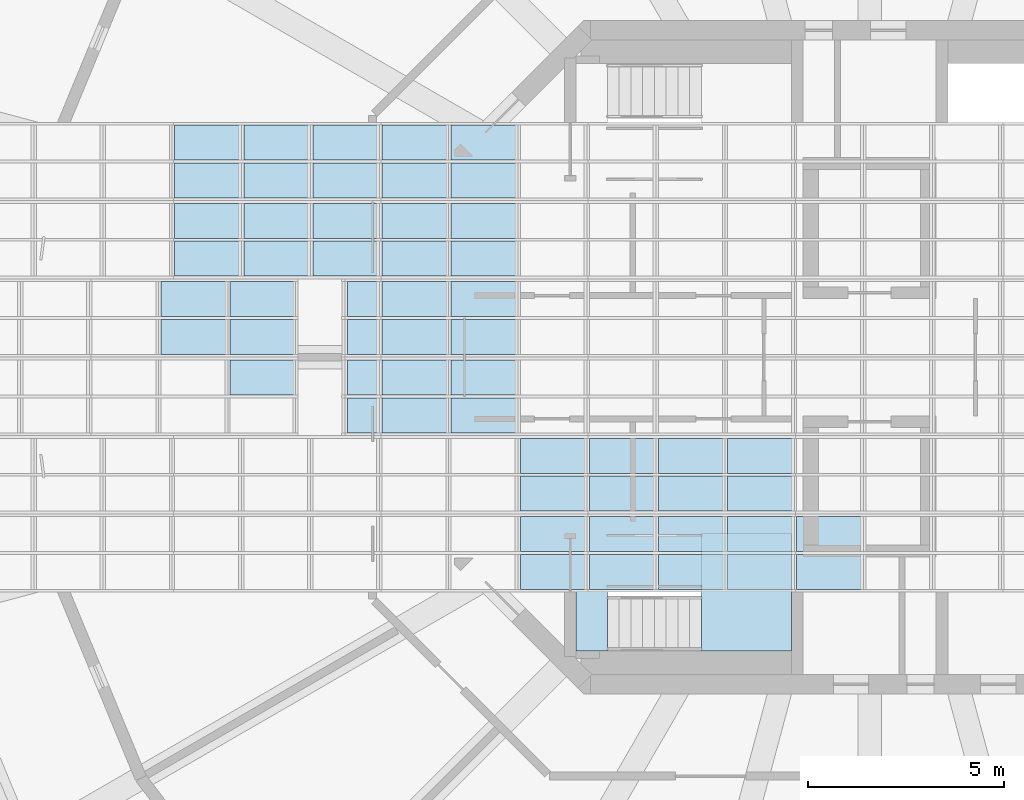
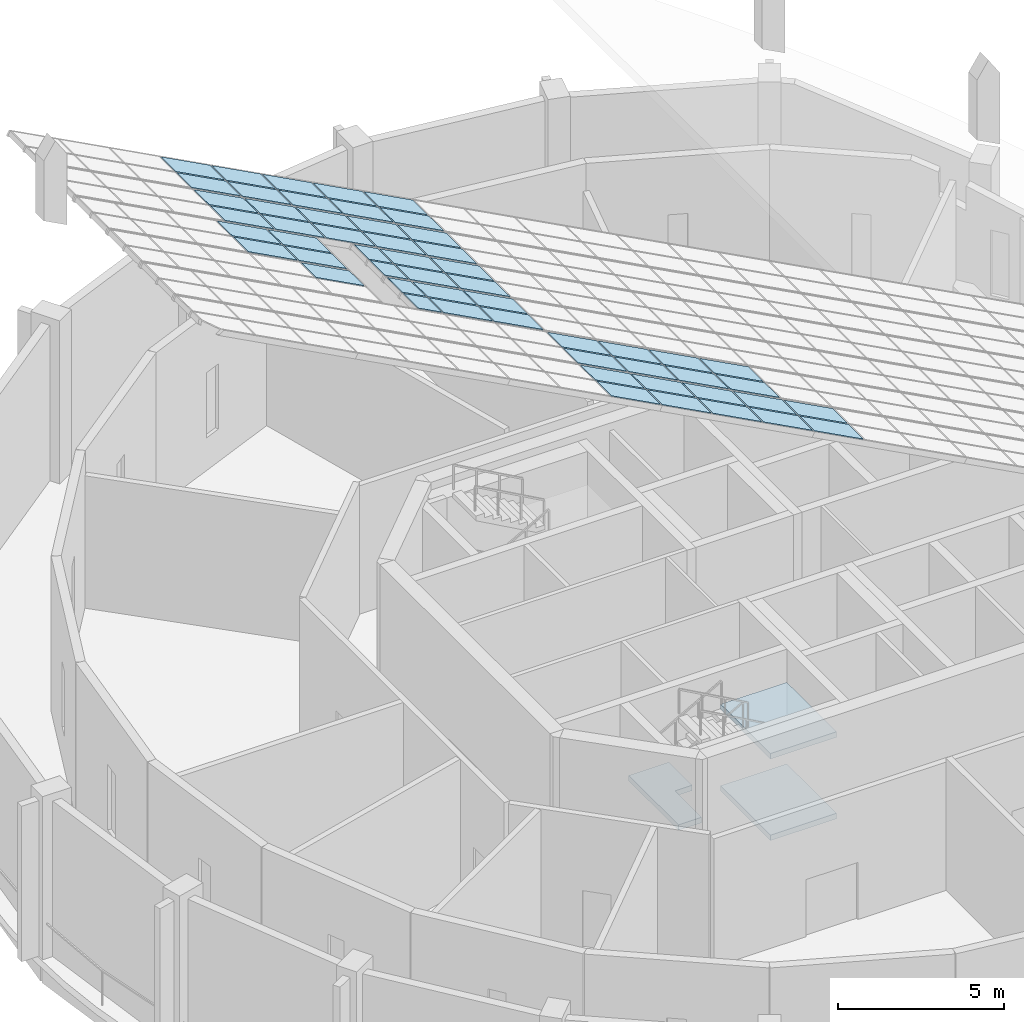
# One storey, part 9 of 19: 55 plates, 3 slabs, 9 elements without a shape of their own.
"""IFC4 building model written with IfcOpenShell, lengths in metres."""

from ifc_helpers import new_model, si_unit, direction, frame, origin, place, context, subcontext, project, spatial, polyline, outline, extrude, material, layer, layer_set, type_object, element, aggregate, save


model = new_model("IFC4")

# Units and contexts
model_context = context("Model", 3, precision=1e-05, world=origin(), true_north=direction((0.0, 1.0)))
body_context = subcontext(model_context, "Body", "Model", "MODEL_VIEW")
ifc_project = project(units=[si_unit("LENGTHUNIT", "METRE"), si_unit("AREAUNIT", "SQUARE_METRE"), si_unit("VOLUMEUNIT", "CUBIC_METRE"), si_unit("PLANEANGLEUNIT", "RADIAN"), si_unit("MASSUNIT", "GRAM", prefix="KILO")], contexts=[model_context])

# Site, building, storey
site_placement = place(None, origin())
site = spatial("IfcSite", under=ifc_project, at=site_placement, CompositionType="ELEMENT")
building_placement = place(site_placement, origin())
building = spatial("IfcBuilding", under=site, at=building_placement, Name="Torre Triforio", CompositionType="ELEMENT")
storey_placement = place(building_placement, frame((0.0, 0.0, 290.800048828125)))
storey = spatial("IfcBuildingStorey", under=building, at=storey_placement, Name="RF-1", CompositionType="ELEMENT", Elevation=290.800048828125)

# Curtain wall, plates
ifc_material_1 = material(Name="Aluminium glazing bars with clear laminated glass", Category="aluminium")
curtain_wall_type = type_object("IfcCurtainWallType", Name="Crown lantern glazing CW4", PredefinedType="NOTDEFINED", material=ifc_material_1)
curtain_wall_1_placement = place(storey_placement, origin())
curtain_wall_1 = element("IfcCurtainWall", 1, at=curtain_wall_1_placement, inside=storey, type_object=curtain_wall_type, Name="Crown lantern run 1", PredefinedType="NOTDEFINED")
ifc_material_2 = material(Name="Clear laminated glass", Category="glass")
ifc_layer_1 = layer(ifc_material_2, 0.030029296875)
ifc_layer_set_1 = layer_set([ifc_layer_1], Name="Clear laminated glass")
plate_type = type_object("IfcPlateType", Name="CW4 glass panel 30", PredefinedType="CURTAIN_PANEL", material=ifc_layer_set_1)
plate_1_placement = place(storey_placement, frame((-0.158203125, -5.929931640625, 13.669189453125), z_axis=(0.469438837627, 0.0, 0.882964992357), x_axis=(0.0, 1.0, 0.0)))
plate_1 = element("IfcPlate", 2, at=plate_1_placement, type_object=plate_type, Name="CW4 panel 1.9.1", PredefinedType="CURTAIN_PANEL", context=body_context, shape_type="SweptSolid", body=[
    extrude(outline(polyline([(0.0, 0.0), (0.89501953125, 0.0), (0.89501953125, 1.9299763606160503), (0.0, 1.9299763606160503), (0.0, 0.0)])), origin(), (0.0, 0.0, -1.0), 0.030029296875),
])
plate_2_placement = place(storey_placement, frame((-0.158203125, -4.965087890625, 13.669189453125), z_axis=(0.469438837627, 0.0, 0.882964992357), x_axis=(0.0, 1.0, 0.0)))
plate_2 = element("IfcPlate", 3, at=plate_2_placement, type_object=plate_type, Name="CW4 panel 1.9.2", PredefinedType="CURTAIN_PANEL", context=body_context, shape_type="SweptSolid", body=[
    extrude(outline(polyline([(0.0, 0.0), (0.89501953125, 0.0), (0.89501953125, 1.9299763606160503), (0.0, 1.9299763606160503), (0.0, 0.0)])), origin(), (0.0, 0.0, -1.0), 0.030029296875),
])
plate_3_placement = place(storey_placement, frame((-1.924072265625, -5.929931640625, 14.608154296875), z_axis=(0.469491276363, 0.0, 0.882937110682), x_axis=(0.0, 1.0, 0.0)))
plate_3 = element("IfcPlate", 4, at=plate_3_placement, type_object=plate_type, Name="CW4 panel 1.10.1", PredefinedType="CURTAIN_PANEL", context=body_context, shape_type="SweptSolid", body=[
    extrude(outline(polyline([(0.0, 0.0), (0.89501953125, 0.0), (0.89501953125, 1.9297607963942975), (0.0, 1.9297607963942975), (0.0, 0.0)])), origin(), (0.0, 0.0, -1.0), 0.030029296875),
])
plate_4_placement = place(storey_placement, frame((-1.924072265625, -4.965087890625, 14.608154296875), z_axis=(0.469491276363, 0.0, 0.882937110682), x_axis=(0.0, 1.0, 0.0)))
plate_4 = element("IfcPlate", 5, at=plate_4_placement, type_object=plate_type, Name="CW4 panel 1.10.2", PredefinedType="CURTAIN_PANEL", context=body_context, shape_type="SweptSolid", body=[
    extrude(outline(polyline([(0.0, 0.0), (0.89501953125, 0.0), (0.89501953125, 1.9297607963942975), (0.0, 1.9297607963942975), (0.0, 0.0)])), origin(), (0.0, 0.0, -1.0), 0.030029296875),
])
plate_5_placement = place(storey_placement, frame((-3.68994140625, -5.929931640625, 15.547119140625), z_axis=(0.469491276363, 0.0, 0.882937110682), x_axis=(0.0, 1.0, 0.0)))
plate_5 = element("IfcPlate", 6, at=plate_5_placement, type_object=plate_type, Name="CW4 panel 1.11.1", PredefinedType="CURTAIN_PANEL", context=body_context, shape_type="SweptSolid", body=[
    extrude(outline(polyline([(0.0, 0.0), (0.89501953125, 0.0), (0.89501953125, 1.9297607963942975), (0.0, 1.9297607963942975), (0.0, 0.0)])), origin(), (0.0, 0.0, -1.0), 0.030029296875),
])
plate_6_placement = place(storey_placement, frame((-3.68994140625, -4.965087890625, 15.547119140625), z_axis=(0.469491276363, 0.0, 0.882937110682), x_axis=(0.0, 1.0, 0.0)))
plate_6 = element("IfcPlate", 7, at=plate_6_placement, type_object=plate_type, Name="CW4 panel 1.11.2", PredefinedType="CURTAIN_PANEL", context=body_context, shape_type="SweptSolid", body=[
    extrude(outline(polyline([(0.0, 0.0), (0.89501953125, 0.0), (0.89501953125, 1.9297607963942975), (0.0, 1.9297607963942975), (0.0, 0.0)])), origin(), (0.0, 0.0, -1.0), 0.030029296875),
])
plate_7_placement = place(storey_placement, frame((-5.455810546875, -5.929931640625, 16.48583984375), z_axis=(0.469537451121, 0.0, 0.882912556256), x_axis=(0.0, 1.0, 0.0)))
plate_7 = element("IfcPlate", 8, at=plate_7_placement, type_object=plate_type, Name="CW4 panel 1.12.1", PredefinedType="CURTAIN_PANEL", context=body_context, shape_type="SweptSolid", body=[
    extrude(outline(polyline([(0.0, 0.0), (0.89501953125, 0.0), (0.89501953125, 1.9300909817454048), (0.0, 1.9300909817454048), (0.0, 0.0)])), origin(), (0.0, 0.0, -1.0), 0.030029296875),
])
plate_8_placement = place(storey_placement, frame((-5.455810546875, -4.965087890625, 16.48583984375), z_axis=(0.469537451121, 0.0, 0.882912556256), x_axis=(0.0, 1.0, 0.0)))
plate_8 = element("IfcPlate", 9, at=plate_8_placement, type_object=plate_type, Name="CW4 panel 1.12.2", PredefinedType="CURTAIN_PANEL", context=body_context, shape_type="SweptSolid", body=[
    extrude(outline(polyline([(0.0, 0.0), (0.89501953125, 0.0), (0.89501953125, 1.9300909817454048), (0.0, 1.9300909817454048), (0.0, 0.0)])), origin(), (0.0, 0.0, -1.0), 0.030029296875),
])
plate_9_placement = place(storey_placement, frame((-7.2216796875, -5.929931640625, 17.425048828125), z_axis=(0.469438837627, 0.0, 0.882964992357), x_axis=(0.0, 1.0, 0.0)))
plate_9 = element("IfcPlate", 10, at=plate_9_placement, type_object=plate_type, Name="CW4 panel 1.13.1", PredefinedType="CURTAIN_PANEL", context=body_context, shape_type="SweptSolid", body=[
    extrude(outline(polyline([(0.0, 0.0), (0.89501953125, 0.0), (0.89501953125, 1.9299763606160503), (0.0, 1.9299763606160503), (0.0, 0.0)])), origin(), (0.0, 0.0, -1.0), 0.030029296875),
])
plate_10_placement = place(storey_placement, frame((-7.2216796875, -4.965087890625, 17.425048828125), z_axis=(0.469438837627, 0.0, 0.882964992357), x_axis=(0.0, 1.0, 0.0)))
plate_10 = element("IfcPlate", 11, at=plate_10_placement, type_object=plate_type, Name="CW4 panel 1.13.2", PredefinedType="CURTAIN_PANEL", context=body_context, shape_type="SweptSolid", body=[
    extrude(outline(polyline([(0.0, 0.0), (0.89501953125, 0.0), (0.89501953125, 1.9299763606160503), (0.0, 1.9299763606160503), (0.0, 0.0)])), origin(), (0.0, 0.0, -1.0), 0.030029296875),
])
aggregate(curtain_wall_1, [plate_1, plate_2, plate_3, plate_4, plate_5, plate_6, plate_7, plate_8, plate_9, plate_10])

curtain_wall_2_placement = place(storey_placement, origin())
curtain_wall_2 = element("IfcCurtainWall", 12, at=curtain_wall_2_placement, inside=storey, type_object=curtain_wall_type, Name="Crown lantern run 2", PredefinedType="NOTDEFINED")
plate_11_placement = place(storey_placement, frame((-1.924072265625, -3.929931640625, 14.608154296875), z_axis=(0.469491276363, 0.0, 0.882937110682), x_axis=(0.0, 1.0, 0.0)))
plate_11 = element("IfcPlate", 13, at=plate_11_placement, type_object=plate_type, Name="CW4 panel 2.10.1", PredefinedType="CURTAIN_PANEL", context=body_context, shape_type="SweptSolid", body=[
    extrude(outline(polyline([(0.0, 0.0), (0.89501953125, 0.0), (0.89501953125, 1.9297607963942975), (0.0, 1.9297607963942975), (0.0, 0.0)])), origin(), (0.0, 0.0, -1.0), 0.030029296875),
])
plate_12_placement = place(storey_placement, frame((-1.924072265625, -2.965087890625, 14.608154296875), z_axis=(0.469491276363, 0.0, 0.882937110682), x_axis=(0.0, 1.0, 0.0)))
plate_12 = element("IfcPlate", 14, at=plate_12_placement, type_object=plate_type, Name="CW4 panel 2.10.2", PredefinedType="CURTAIN_PANEL", context=body_context, shape_type="SweptSolid", body=[
    extrude(outline(polyline([(0.0, 0.0), (0.89501953125, 0.0), (0.89501953125, 1.9297607963942975), (0.0, 1.9297607963942975), (0.0, 0.0)])), origin(), (0.0, 0.0, -1.0), 0.030029296875),
])
plate_13_placement = place(storey_placement, frame((-3.68994140625, -3.929931640625, 15.547119140625), z_axis=(0.469491276363, 0.0, 0.882937110682), x_axis=(0.0, 1.0, 0.0)))
plate_13 = element("IfcPlate", 15, at=plate_13_placement, type_object=plate_type, Name="CW4 panel 2.11.1", PredefinedType="CURTAIN_PANEL", context=body_context, shape_type="SweptSolid", body=[
    extrude(outline(polyline([(0.0, 0.0), (0.89501953125, 0.0), (0.89501953125, 1.9297607963942975), (0.0, 1.9297607963942975), (0.0, 0.0)])), origin(), (0.0, 0.0, -1.0), 0.030029296875),
])
plate_14_placement = place(storey_placement, frame((-3.68994140625, -2.965087890625, 15.547119140625), z_axis=(0.469491276363, 0.0, 0.882937110682), x_axis=(0.0, 1.0, 0.0)))
plate_14 = element("IfcPlate", 16, at=plate_14_placement, type_object=plate_type, Name="CW4 panel 2.11.2", PredefinedType="CURTAIN_PANEL", context=body_context, shape_type="SweptSolid", body=[
    extrude(outline(polyline([(0.0, 0.0), (0.89501953125, 0.0), (0.89501953125, 1.9297607963942975), (0.0, 1.9297607963942975), (0.0, 0.0)])), origin(), (0.0, 0.0, -1.0), 0.030029296875),
])
plate_15_placement = place(storey_placement, frame((-5.455810546875, -3.929931640625, 16.48583984375), z_axis=(0.469537451121, 0.0, 0.882912556256), x_axis=(0.0, 1.0, 0.0)))
plate_15 = element("IfcPlate", 17, at=plate_15_placement, type_object=plate_type, Name="CW4 panel 2.12.1", PredefinedType="CURTAIN_PANEL", context=body_context, shape_type="SweptSolid", body=[
    extrude(outline(polyline([(0.0, 0.0), (0.89501953125, 0.0), (0.89501953125, 1.9300909817454048), (0.0, 1.9300909817454048), (0.0, 0.0)])), origin(), (0.0, 0.0, -1.0), 0.030029296875),
])
plate_16_placement = place(storey_placement, frame((-5.455810546875, -2.965087890625, 16.48583984375), z_axis=(0.469537451121, 0.0, 0.882912556256), x_axis=(0.0, 1.0, 0.0)))
plate_16 = element("IfcPlate", 18, at=plate_16_placement, type_object=plate_type, Name="CW4 panel 2.12.2", PredefinedType="CURTAIN_PANEL", context=body_context, shape_type="SweptSolid", body=[
    extrude(outline(polyline([(0.0, 0.0), (0.89501953125, 0.0), (0.89501953125, 1.9300909817454048), (0.0, 1.9300909817454048), (0.0, 0.0)])), origin(), (0.0, 0.0, -1.0), 0.030029296875),
])
plate_17_placement = place(storey_placement, frame((-7.2216796875, -3.929931640625, 17.425048828125), z_axis=(0.469438837627, 0.0, 0.882964992357), x_axis=(0.0, 1.0, 0.0)))
plate_17 = element("IfcPlate", 19, at=plate_17_placement, type_object=plate_type, Name="CW4 panel 2.13.1", PredefinedType="CURTAIN_PANEL", context=body_context, shape_type="SweptSolid", body=[
    extrude(outline(polyline([(0.0, 0.0), (0.89501953125, 0.0), (0.89501953125, 1.9299763606160503), (0.0, 1.9299763606160503), (0.0, 0.0)])), origin(), (0.0, 0.0, -1.0), 0.030029296875),
])
plate_18_placement = place(storey_placement, frame((-7.2216796875, -2.965087890625, 17.425048828125), z_axis=(0.469438837627, 0.0, 0.882964992357), x_axis=(0.0, 1.0, 0.0)))
plate_18 = element("IfcPlate", 20, at=plate_18_placement, type_object=plate_type, Name="CW4 panel 2.13.2", PredefinedType="CURTAIN_PANEL", context=body_context, shape_type="SweptSolid", body=[
    extrude(outline(polyline([(0.0, 0.0), (0.89501953125, 0.0), (0.89501953125, 1.9299763606160503), (0.0, 1.9299763606160503), (0.0, 0.0)])), origin(), (0.0, 0.0, -1.0), 0.030029296875),
])
aggregate(curtain_wall_2, [plate_11, plate_12, plate_13, plate_14, plate_15, plate_16, plate_17, plate_18])

curtain_wall_3_placement = place(storey_placement, origin())
curtain_wall_3 = element("IfcCurtainWall", 21, at=curtain_wall_3_placement, inside=storey, type_object=curtain_wall_type, Name="Crown lantern run 3", PredefinedType="NOTDEFINED")
plate_19_placement = place(storey_placement, frame((-8.987548828125, -1.929931640625, 18.36376953125), z_axis=(0.469537451121, 0.0, 0.882912556256), x_axis=(0.0, 1.0, 0.0)))
plate_19 = element("IfcPlate", 22, at=plate_19_placement, type_object=plate_type, Name="CW4 panel 3.14.1", PredefinedType="CURTAIN_PANEL", context=body_context, shape_type="SweptSolid", body=[
    extrude(outline(polyline([(0.0, 0.0), (0.89501953125, 0.0), (0.89501953125, 1.9300909817454048), (0.0, 1.9300909817454048), (0.0, 0.0)])), origin(), (0.0, 0.0, -1.0), 0.030029296875),
])
plate_20_placement = place(storey_placement, frame((-8.987548828125, -0.965087890625, 18.36376953125), z_axis=(0.469537451121, 0.0, 0.882912556256), x_axis=(0.0, 1.0, 0.0)))
plate_20 = element("IfcPlate", 23, at=plate_20_placement, type_object=plate_type, Name="CW4 panel 3.14.2", PredefinedType="CURTAIN_PANEL", context=body_context, shape_type="SweptSolid", body=[
    extrude(outline(polyline([(0.0, 0.0), (0.89501953125, 0.0), (0.89501953125, 1.9300909817454048), (0.0, 1.9300909817454048), (0.0, 0.0)])), origin(), (0.0, 0.0, -1.0), 0.030029296875),
])
plate_21_placement = place(storey_placement, frame((-10.75341796875, -1.929931640625, 19.302734375), z_axis=(0.469537451121, 0.0, 0.882912556256), x_axis=(0.0, 1.0, 0.0)))
plate_21 = element("IfcPlate", 24, at=plate_21_placement, type_object=plate_type, Name="CW4 panel 3.15.1", PredefinedType="CURTAIN_PANEL", context=body_context, shape_type="SweptSolid", body=[
    extrude(outline(polyline([(0.0, 0.0), (0.89501953125, 0.0), (0.89501953125, 1.9300909817454048), (0.0, 1.9300909817454048), (0.0, 0.0)])), origin(), (0.0, 0.0, -1.0), 0.030029296875),
])
plate_22_placement = place(storey_placement, frame((-10.75341796875, -0.965087890625, 19.302734375), z_axis=(0.469537451121, 0.0, 0.882912556256), x_axis=(0.0, 1.0, 0.0)))
plate_22 = element("IfcPlate", 25, at=plate_22_placement, type_object=plate_type, Name="CW4 panel 3.15.2", PredefinedType="CURTAIN_PANEL", context=body_context, shape_type="SweptSolid", body=[
    extrude(outline(polyline([(0.0, 0.0), (0.89501953125, 0.0), (0.89501953125, 1.9300909817454048), (0.0, 1.9300909817454048), (0.0, 0.0)])), origin(), (0.0, 0.0, -1.0), 0.030029296875),
])
plate_23_placement = place(storey_placement, frame((-12.519287109375, -1.929931640625, 20.24169921875), z_axis=(0.469604241932, 0.0, 0.882877033318), x_axis=(0.0, 1.0, 0.0)))
plate_23 = element("IfcPlate", 26, at=plate_23_placement, type_object=plate_type, Name="CW4 panel 3.16.1", PredefinedType="CURTAIN_PANEL", context=body_context, shape_type="SweptSolid", body=[
    extrude(outline(polyline([(0.0, 0.0), (0.89501953125, 0.0), (0.89501953125, 0.9274764495491967), (0.0, 0.9274764495491967), (0.0, 0.0)])), origin(), (0.0, 0.0, -1.0), 0.030029296875),
])
plate_24_placement = place(storey_placement, frame((-12.519287109375, -0.965087890625, 20.24169921875), z_axis=(0.469604241932, 0.0, 0.882877033318), x_axis=(0.0, 1.0, 0.0)))
plate_24 = element("IfcPlate", 27, at=plate_24_placement, type_object=plate_type, Name="CW4 panel 3.16.2", PredefinedType="CURTAIN_PANEL", context=body_context, shape_type="SweptSolid", body=[
    extrude(outline(polyline([(0.0, 0.0), (0.89501953125, 0.0), (0.89501953125, 0.9274764495491967), (0.0, 0.9274764495491967), (0.0, 0.0)])), origin(), (0.0, 0.0, -1.0), 0.030029296875),
])
aggregate(curtain_wall_3, [plate_19, plate_20, plate_21, plate_22, plate_23, plate_24])

# Curtain wall, plate
curtain_wall_4_placement = place(storey_placement, origin())
curtain_wall_4 = element("IfcCurtainWall", 28, at=curtain_wall_4_placement, inside=storey, type_object=curtain_wall_type, Name="Crown lantern run 4", PredefinedType="NOTDEFINED")
plate_25_placement = place(storey_placement, frame((-14.661865234375, -0.965087890625, 21.380859375), z_axis=(0.469491175621, 0.0, 0.88293716425), x_axis=(0.0, 1.0, 0.0)))
plate_25 = element("IfcPlate", 29, at=plate_25_placement, type_object=plate_type, Name="CW4 panel 4.1.2", PredefinedType="CURTAIN_PANEL", context=body_context, shape_type="SweptSolid", body=[
    extrude(outline(polyline([(0.0, 0.0), (0.89501953125, 0.0), (0.89501953125, 1.8949204664474784), (0.0, 1.8949204664474784), (0.0, 0.0)])), origin(), (0.0, 0.0, -1.0), 0.030029296875),
])
aggregate(curtain_wall_4, [plate_25])

# Curtain wall, plates
curtain_wall_5_placement = place(storey_placement, origin())
curtain_wall_5 = element("IfcCurtainWall", 30, at=curtain_wall_5_placement, inside=storey, type_object=curtain_wall_type, Name="Crown lantern run 5", PredefinedType="NOTDEFINED")
plate_26_placement = place(storey_placement, frame((-8.987548828125, 0.070068359375, 18.36376953125), z_axis=(0.469537451121, 0.0, 0.882912556256), x_axis=(0.0, 1.0, 0.0)))
plate_26 = element("IfcPlate", 31, at=plate_26_placement, type_object=plate_type, Name="CW4 panel 5.14.1", PredefinedType="CURTAIN_PANEL", context=body_context, shape_type="SweptSolid", body=[
    extrude(outline(polyline([(0.0, 0.0), (0.89501953125, 0.0), (0.89501953125, 1.9300909817454048), (0.0, 1.9300909817454048), (0.0, 0.0)])), origin(), (0.0, 0.0, -1.0), 0.030029296875),
])
plate_27_placement = place(storey_placement, frame((-8.987548828125, 1.034912109375, 18.36376953125), z_axis=(0.469537451121, 0.0, 0.882912556256), x_axis=(0.0, 1.0, 0.0)))
plate_27 = element("IfcPlate", 32, at=plate_27_placement, type_object=plate_type, Name="CW4 panel 5.14.2", PredefinedType="CURTAIN_PANEL", context=body_context, shape_type="SweptSolid", body=[
    extrude(outline(polyline([(0.0, 0.0), (0.89501953125, 0.0), (0.89501953125, 1.9300909817454048), (0.0, 1.9300909817454048), (0.0, 0.0)])), origin(), (0.0, 0.0, -1.0), 0.030029296875),
])
plate_28_placement = place(storey_placement, frame((-10.75341796875, 0.070068359375, 19.302734375), z_axis=(0.469537451121, 0.0, 0.882912556256), x_axis=(0.0, 1.0, 0.0)))
plate_28 = element("IfcPlate", 33, at=plate_28_placement, type_object=plate_type, Name="CW4 panel 5.15.1", PredefinedType="CURTAIN_PANEL", context=body_context, shape_type="SweptSolid", body=[
    extrude(outline(polyline([(0.0, 0.0), (0.89501953125, 0.0), (0.89501953125, 1.9300909817454048), (0.0, 1.9300909817454048), (0.0, 0.0)])), origin(), (0.0, 0.0, -1.0), 0.030029296875),
])
plate_29_placement = place(storey_placement, frame((-10.75341796875, 1.034912109375, 19.302734375), z_axis=(0.469537451121, 0.0, 0.882912556256), x_axis=(0.0, 1.0, 0.0)))
plate_29 = element("IfcPlate", 34, at=plate_29_placement, type_object=plate_type, Name="CW4 panel 5.15.2", PredefinedType="CURTAIN_PANEL", context=body_context, shape_type="SweptSolid", body=[
    extrude(outline(polyline([(0.0, 0.0), (0.89501953125, 0.0), (0.89501953125, 1.9300909817454048), (0.0, 1.9300909817454048), (0.0, 0.0)])), origin(), (0.0, 0.0, -1.0), 0.030029296875),
])
plate_30_placement = place(storey_placement, frame((-12.519287109375, 0.070068359375, 20.24169921875), z_axis=(0.469604241932, 0.0, 0.882877033318), x_axis=(0.0, 1.0, 0.0)))
plate_30 = element("IfcPlate", 35, at=plate_30_placement, type_object=plate_type, Name="CW4 panel 5.16.1", PredefinedType="CURTAIN_PANEL", context=body_context, shape_type="SweptSolid", body=[
    extrude(outline(polyline([(0.0, 0.0), (0.89501953125, 0.0), (0.89501953125, 0.9274764495491967), (0.0, 0.9274764495491967), (0.0, 0.0)])), origin(), (0.0, 0.0, -1.0), 0.030029296875),
])
plate_31_placement = place(storey_placement, frame((-12.519287109375, 1.034912109375, 20.24169921875), z_axis=(0.469604241932, 0.0, 0.882877033318), x_axis=(0.0, 1.0, 0.0)))
plate_31 = element("IfcPlate", 36, at=plate_31_placement, type_object=plate_type, Name="CW4 panel 5.16.2", PredefinedType="CURTAIN_PANEL", context=body_context, shape_type="SweptSolid", body=[
    extrude(outline(polyline([(0.0, 0.0), (0.89501953125, 0.0), (0.89501953125, 0.9274764495491967), (0.0, 0.9274764495491967), (0.0, 0.0)])), origin(), (0.0, 0.0, -1.0), 0.030029296875),
])
aggregate(curtain_wall_5, [plate_26, plate_27, plate_28, plate_29, plate_30, plate_31])

curtain_wall_6_placement = place(storey_placement, origin())
curtain_wall_6 = element("IfcCurtainWall", 37, at=curtain_wall_6_placement, inside=storey, type_object=curtain_wall_type, Name="Crown lantern run 6", PredefinedType="NOTDEFINED")
plate_32_placement = place(storey_placement, frame((-14.661865234375, 0.070068359375, 21.380859375), z_axis=(0.469491175621, 0.0, 0.88293716425), x_axis=(0.0, 1.0, 0.0)))
plate_32 = element("IfcPlate", 38, at=plate_32_placement, type_object=plate_type, Name="CW4 panel 6.1.1", PredefinedType="CURTAIN_PANEL", context=body_context, shape_type="SweptSolid", body=[
    extrude(outline(polyline([(0.0, 0.0), (0.89501953125, 0.0), (0.89501953125, 1.8949204664474784), (0.0, 1.8949204664474784), (0.0, 0.0)])), origin(), (0.0, 0.0, -1.0), 0.030029296875),
])
plate_33_placement = place(storey_placement, frame((-14.661865234375, 1.034912109375, 21.380859375), z_axis=(0.469491175621, 0.0, 0.88293716425), x_axis=(0.0, 1.0, 0.0)))
plate_33 = element("IfcPlate", 39, at=plate_33_placement, type_object=plate_type, Name="CW4 panel 6.1.2", PredefinedType="CURTAIN_PANEL", context=body_context, shape_type="SweptSolid", body=[
    extrude(outline(polyline([(0.0, 0.0), (0.89501953125, 0.0), (0.89501953125, 1.8949204664474784), (0.0, 1.8949204664474784), (0.0, 0.0)])), origin(), (0.0, 0.0, -1.0), 0.030029296875),
])
plate_34_placement = place(storey_placement, frame((-16.396728515625, 0.070068359375, 22.303466796875), z_axis=(0.469438837627, 0.0, 0.882964992357), x_axis=(0.0, 1.0, 0.0)))
plate_34 = element("IfcPlate", 40, at=plate_34_placement, type_object=plate_type, Name="CW4 panel 6.2.1", PredefinedType="CURTAIN_PANEL", context=body_context, shape_type="SweptSolid", body=[
    extrude(outline(polyline([(0.0, 0.0), (0.89501953125, 0.0), (0.89501953125, 1.9299763606160503), (0.0, 1.9299763606160503), (0.0, 0.0)])), origin(), (0.0, 0.0, -1.0), 0.030029296875),
])
plate_35_placement = place(storey_placement, frame((-16.396728515625, 1.034912109375, 22.303466796875), z_axis=(0.469438837627, 0.0, 0.882964992357), x_axis=(0.0, 1.0, 0.0)))
plate_35 = element("IfcPlate", 41, at=plate_35_placement, type_object=plate_type, Name="CW4 panel 6.2.2", PredefinedType="CURTAIN_PANEL", context=body_context, shape_type="SweptSolid", body=[
    extrude(outline(polyline([(0.0, 0.0), (0.89501953125, 0.0), (0.89501953125, 1.9299763606160503), (0.0, 1.9299763606160503), (0.0, 0.0)])), origin(), (0.0, 0.0, -1.0), 0.030029296875),
])
aggregate(curtain_wall_6, [plate_32, plate_33, plate_34, plate_35])

curtain_wall_7_placement = place(storey_placement, origin())
curtain_wall_7 = element("IfcCurtainWall", 42, at=curtain_wall_7_placement, inside=storey, type_object=curtain_wall_type, Name="Crown lantern run 7", PredefinedType="NOTDEFINED")
plate_36_placement = place(storey_placement, frame((-8.987548828125, 2.070068359375, 18.36376953125), z_axis=(0.469537451121, 0.0, 0.882912556256), x_axis=(0.0, 1.0, 0.0)))
plate_36 = element("IfcPlate", 43, at=plate_36_placement, type_object=plate_type, Name="CW4 panel 7.14.1", PredefinedType="CURTAIN_PANEL", context=body_context, shape_type="SweptSolid", body=[
    extrude(outline(polyline([(0.0, 0.0), (0.89501953125, 0.0), (0.89501953125, 1.9300909817454048), (0.0, 1.9300909817454048), (0.0, 0.0)])), origin(), (0.0, 0.0, -1.0), 0.030029296875),
])
plate_37_placement = place(storey_placement, frame((-8.987548828125, 3.034912109375, 18.36376953125), z_axis=(0.469537451121, 0.0, 0.882912556256), x_axis=(0.0, 1.0, 0.0)))
plate_37 = element("IfcPlate", 44, at=plate_37_placement, type_object=plate_type, Name="CW4 panel 7.14.2", PredefinedType="CURTAIN_PANEL", context=body_context, shape_type="SweptSolid", body=[
    extrude(outline(polyline([(0.0, 0.0), (0.89501953125, 0.0), (0.89501953125, 1.9300909817454048), (0.0, 1.9300909817454048), (0.0, 0.0)])), origin(), (0.0, 0.0, -1.0), 0.030029296875),
])
plate_38_placement = place(storey_placement, frame((-10.75341796875, 2.070068359375, 19.302734375), z_axis=(0.469537451121, 0.0, 0.882912556256), x_axis=(0.0, 1.0, 0.0)))
plate_38 = element("IfcPlate", 45, at=plate_38_placement, type_object=plate_type, Name="CW4 panel 7.15.1", PredefinedType="CURTAIN_PANEL", context=body_context, shape_type="SweptSolid", body=[
    extrude(outline(polyline([(0.0, 0.0), (0.89501953125, 0.0), (0.89501953125, 1.9300909817454048), (0.0, 1.9300909817454048), (0.0, 0.0)])), origin(), (0.0, 0.0, -1.0), 0.030029296875),
])
plate_39_placement = place(storey_placement, frame((-10.75341796875, 3.034912109375, 19.302734375), z_axis=(0.469537451121, 0.0, 0.882912556256), x_axis=(0.0, 1.0, 0.0)))
plate_39 = element("IfcPlate", 46, at=plate_39_placement, type_object=plate_type, Name="CW4 panel 7.15.2", PredefinedType="CURTAIN_PANEL", context=body_context, shape_type="SweptSolid", body=[
    extrude(outline(polyline([(0.0, 0.0), (0.89501953125, 0.0), (0.89501953125, 1.9300909817454048), (0.0, 1.9300909817454048), (0.0, 0.0)])), origin(), (0.0, 0.0, -1.0), 0.030029296875),
])
plate_40_placement = place(storey_placement, frame((-12.519287109375, 2.070068359375, 20.24169921875), z_axis=(0.469537451121, 0.0, 0.882912556256), x_axis=(0.0, 1.0, 0.0)))
plate_40 = element("IfcPlate", 47, at=plate_40_placement, type_object=plate_type, Name="CW4 panel 7.16.1", PredefinedType="CURTAIN_PANEL", context=body_context, shape_type="SweptSolid", body=[
    extrude(outline(polyline([(0.0, 0.0), (0.89501953125, 0.0), (0.89501953125, 1.9300909817454048), (0.0, 1.9300909817454048), (0.0, 0.0)])), origin(), (0.0, 0.0, -1.0), 0.030029296875),
])
plate_41_placement = place(storey_placement, frame((-12.519287109375, 3.034912109375, 20.24169921875), z_axis=(0.469537451121, 0.0, 0.882912556256), x_axis=(0.0, 1.0, 0.0)))
plate_41 = element("IfcPlate", 48, at=plate_41_placement, type_object=plate_type, Name="CW4 panel 7.16.2", PredefinedType="CURTAIN_PANEL", context=body_context, shape_type="SweptSolid", body=[
    extrude(outline(polyline([(0.0, 0.0), (0.89501953125, 0.0), (0.89501953125, 1.9300909817454048), (0.0, 1.9300909817454048), (0.0, 0.0)])), origin(), (0.0, 0.0, -1.0), 0.030029296875),
])
plate_42_placement = place(storey_placement, frame((-14.28515625, 2.070068359375, 21.1806640625), z_axis=(0.469438837627, 0.0, 0.882964992357), x_axis=(0.0, 1.0, 0.0)))
plate_42 = element("IfcPlate", 49, at=plate_42_placement, type_object=plate_type, Name="CW4 panel 7.17.1", PredefinedType="CURTAIN_PANEL", context=body_context, shape_type="SweptSolid", body=[
    extrude(outline(polyline([(0.0, 0.0), (0.89501953125, 0.0), (0.89501953125, 1.9299763606160503), (0.0, 1.9299763606160503), (0.0, 0.0)])), origin(), (0.0, 0.0, -1.0), 0.030029296875),
])
plate_43_placement = place(storey_placement, frame((-14.28515625, 3.034912109375, 21.1806640625), z_axis=(0.469438837627, 0.0, 0.882964992357), x_axis=(0.0, 1.0, 0.0)))
plate_43 = element("IfcPlate", 50, at=plate_43_placement, type_object=plate_type, Name="CW4 panel 7.17.2", PredefinedType="CURTAIN_PANEL", context=body_context, shape_type="SweptSolid", body=[
    extrude(outline(polyline([(0.0, 0.0), (0.89501953125, 0.0), (0.89501953125, 1.9299763606160503), (0.0, 1.9299763606160503), (0.0, 0.0)])), origin(), (0.0, 0.0, -1.0), 0.030029296875),
])
plate_44_placement = place(storey_placement, frame((-16.051025390625, 2.070068359375, 22.11962890625), z_axis=(0.469438837627, 0.0, 0.882964992357), x_axis=(0.0, 1.0, 0.0)))
plate_44 = element("IfcPlate", 51, at=plate_44_placement, type_object=plate_type, Name="CW4 panel 7.18.1", PredefinedType="CURTAIN_PANEL", context=body_context, shape_type="SweptSolid", body=[
    extrude(outline(polyline([(0.0, 0.0), (0.89501953125, 0.0), (0.89501953125, 1.9299763606160503), (0.0, 1.9299763606160503), (0.0, 0.0)])), origin(), (0.0, 0.0, -1.0), 0.030029296875),
])
plate_45_placement = place(storey_placement, frame((-16.051025390625, 3.034912109375, 22.11962890625), z_axis=(0.469438837627, 0.0, 0.882964992357), x_axis=(0.0, 1.0, 0.0)))
plate_45 = element("IfcPlate", 52, at=plate_45_placement, type_object=plate_type, Name="CW4 panel 7.18.2", PredefinedType="CURTAIN_PANEL", context=body_context, shape_type="SweptSolid", body=[
    extrude(outline(polyline([(0.0, 0.0), (0.89501953125, 0.0), (0.89501953125, 1.9299763606160503), (0.0, 1.9299763606160503), (0.0, 0.0)])), origin(), (0.0, 0.0, -1.0), 0.030029296875),
])
aggregate(curtain_wall_7, [plate_36, plate_37, plate_38, plate_39, plate_40, plate_41, plate_42, plate_43, plate_44, plate_45])

curtain_wall_8_placement = place(storey_placement, origin())
curtain_wall_8 = element("IfcCurtainWall", 53, at=curtain_wall_8_placement, inside=storey, type_object=curtain_wall_type, Name="Crown lantern run 8", PredefinedType="NOTDEFINED")
plate_46_placement = place(storey_placement, frame((-8.987548828125, 4.070068359375, 18.36376953125), z_axis=(0.469537451121, 0.0, 0.882912556256), x_axis=(0.0, 1.0, 0.0)))
plate_46 = element("IfcPlate", 54, at=plate_46_placement, type_object=plate_type, Name="CW4 panel 8.14.1", PredefinedType="CURTAIN_PANEL", context=body_context, shape_type="SweptSolid", body=[
    extrude(outline(polyline([(0.0, 0.0), (0.89501953125, 0.0), (0.89501953125, 1.9300909817454048), (0.0, 1.9300909817454048), (0.0, 0.0)])), origin(), (0.0, 0.0, -1.0), 0.030029296875),
])
plate_47_placement = place(storey_placement, frame((-8.987548828125, 5.034912109375, 18.36376953125), z_axis=(0.469537451121, 0.0, 0.882912556256), x_axis=(0.0, 1.0, 0.0)))
plate_47 = element("IfcPlate", 55, at=plate_47_placement, type_object=plate_type, Name="CW4 panel 8.14.2", PredefinedType="CURTAIN_PANEL", context=body_context, shape_type="SweptSolid", body=[
    extrude(outline(polyline([(0.0, 0.0), (0.89501953125, 0.0), (0.89501953125, 1.9300909817454048), (0.0, 1.9300909817454048), (0.0, 0.0)])), origin(), (0.0, 0.0, -1.0), 0.030029296875),
])
plate_48_placement = place(storey_placement, frame((-10.75341796875, 4.070068359375, 19.302734375), z_axis=(0.469537451121, 0.0, 0.882912556256), x_axis=(0.0, 1.0, 0.0)))
plate_48 = element("IfcPlate", 56, at=plate_48_placement, type_object=plate_type, Name="CW4 panel 8.15.1", PredefinedType="CURTAIN_PANEL", context=body_context, shape_type="SweptSolid", body=[
    extrude(outline(polyline([(0.0, 0.0), (0.89501953125, 0.0), (0.89501953125, 1.9300909817454048), (0.0, 1.9300909817454048), (0.0, 0.0)])), origin(), (0.0, 0.0, -1.0), 0.030029296875),
])
plate_49_placement = place(storey_placement, frame((-10.75341796875, 5.034912109375, 19.302734375), z_axis=(0.469537451121, 0.0, 0.882912556256), x_axis=(0.0, 1.0, 0.0)))
plate_49 = element("IfcPlate", 57, at=plate_49_placement, type_object=plate_type, Name="CW4 panel 8.15.2", PredefinedType="CURTAIN_PANEL", context=body_context, shape_type="SweptSolid", body=[
    extrude(outline(polyline([(0.0, 0.0), (0.89501953125, 0.0), (0.89501953125, 1.9300909817454048), (0.0, 1.9300909817454048), (0.0, 0.0)])), origin(), (0.0, 0.0, -1.0), 0.030029296875),
])
plate_50_placement = place(storey_placement, frame((-12.519287109375, 4.070068359375, 20.24169921875), z_axis=(0.469537451121, 0.0, 0.882912556256), x_axis=(0.0, 1.0, 0.0)))
plate_50 = element("IfcPlate", 58, at=plate_50_placement, type_object=plate_type, Name="CW4 panel 8.16.1", PredefinedType="CURTAIN_PANEL", context=body_context, shape_type="SweptSolid", body=[
    extrude(outline(polyline([(0.0, 0.0), (0.89501953125, 0.0), (0.89501953125, 1.9300909817454048), (0.0, 1.9300909817454048), (0.0, 0.0)])), origin(), (0.0, 0.0, -1.0), 0.030029296875),
])
plate_51_placement = place(storey_placement, frame((-12.519287109375, 5.034912109375, 20.24169921875), z_axis=(0.469537451121, 0.0, 0.882912556256), x_axis=(0.0, 1.0, 0.0)))
plate_51 = element("IfcPlate", 59, at=plate_51_placement, type_object=plate_type, Name="CW4 panel 8.16.2", PredefinedType="CURTAIN_PANEL", context=body_context, shape_type="SweptSolid", body=[
    extrude(outline(polyline([(0.0, 0.0), (0.89501953125, 0.0), (0.89501953125, 1.9300909817454048), (0.0, 1.9300909817454048), (0.0, 0.0)])), origin(), (0.0, 0.0, -1.0), 0.030029296875),
])
plate_52_placement = place(storey_placement, frame((-14.28515625, 4.070068359375, 21.1806640625), z_axis=(0.469438837627, 0.0, 0.882964992357), x_axis=(0.0, 1.0, 0.0)))
plate_52 = element("IfcPlate", 60, at=plate_52_placement, type_object=plate_type, Name="CW4 panel 8.17.1", PredefinedType="CURTAIN_PANEL", context=body_context, shape_type="SweptSolid", body=[
    extrude(outline(polyline([(0.0, 0.0), (0.89501953125, 0.0), (0.89501953125, 1.9299763606160503), (0.0, 1.9299763606160503), (0.0, 0.0)])), origin(), (0.0, 0.0, -1.0), 0.030029296875),
])
plate_53_placement = place(storey_placement, frame((-14.28515625, 5.034912109375, 21.1806640625), z_axis=(0.469438837627, 0.0, 0.882964992357), x_axis=(0.0, 1.0, 0.0)))
plate_53 = element("IfcPlate", 61, at=plate_53_placement, type_object=plate_type, Name="CW4 panel 8.17.2", PredefinedType="CURTAIN_PANEL", context=body_context, shape_type="SweptSolid", body=[
    extrude(outline(polyline([(0.0, 0.0), (0.89501953125, 0.0), (0.89501953125, 1.9299763606160503), (0.0, 1.9299763606160503), (0.0, 0.0)])), origin(), (0.0, 0.0, -1.0), 0.030029296875),
])
plate_54_placement = place(storey_placement, frame((-16.051025390625, 4.070068359375, 22.11962890625), z_axis=(0.469438837627, 0.0, 0.882964992357), x_axis=(0.0, 1.0, 0.0)))
plate_54 = element("IfcPlate", 62, at=plate_54_placement, type_object=plate_type, Name="CW4 panel 8.18.1", PredefinedType="CURTAIN_PANEL", context=body_context, shape_type="SweptSolid", body=[
    extrude(outline(polyline([(0.0, 0.0), (0.89501953125, 0.0), (0.89501953125, 1.9299763606160503), (0.0, 1.9299763606160503), (0.0, 0.0)])), origin(), (0.0, 0.0, -1.0), 0.030029296875),
])
plate_55_placement = place(storey_placement, frame((-16.051025390625, 5.034912109375, 22.11962890625), z_axis=(0.469438837627, 0.0, 0.882964992357), x_axis=(0.0, 1.0, 0.0)))
plate_55 = element("IfcPlate", 63, at=plate_55_placement, type_object=plate_type, Name="CW4 panel 8.18.2", PredefinedType="CURTAIN_PANEL", context=body_context, shape_type="SweptSolid", body=[
    extrude(outline(polyline([(0.0, 0.0), (0.89501953125, 0.0), (0.89501953125, 1.9299763606160503), (0.0, 1.9299763606160503), (0.0, 0.0)])), origin(), (0.0, 0.0, -1.0), 0.030029296875),
])
aggregate(curtain_wall_8, [plate_46, plate_47, plate_48, plate_49, plate_50, plate_51, plate_52, plate_53, plate_54, plate_55])

# Stair, slabs
ifc_material_3 = material(Name="Concrete C40", Category="concrete")
stair_type = type_object("IfcStairType", Name="STAIR DOUBLE RETURN", PredefinedType="DOUBLE_RETURN_STAIR", material=ifc_material_3)
stair_placement = place(storey_placement, origin())
stair = element("IfcStair", 64, at=stair_placement, inside=storey, type_object=stair_type, Name="Exit stair 3", PredefinedType="DOUBLE_RETURN_STAIR")
ifc_layer_2 = layer(ifc_material_3, 0.199951171875)
ifc_layer_set_2 = layer_set([ifc_layer_2], Name="Concrete C40")
slab_type = type_object("IfcSlabType", Name="STAIR LANDING 200", PredefinedType="LANDING", material=ifc_layer_set_2)
slab_1_placement = place(storey_placement, frame((0.0, 0.0, 1.300048828125)))
slab_1 = element("IfcSlab", 65, at=slab_1_placement, type_object=slab_type, Name="ST3 landing 1", PredefinedType="LANDING", context=body_context, shape_type="SweptSolid", body=[
    extrude(outline(polyline([(-2.0, -7.5), (-2.0, -4.5), (-4.300048828125, -4.5), (-4.300048828125, -7.5), (-2.0, -7.5)])), origin(), (0.0, 0.0, 1.0), 0.199951171875),
])
slab_2_placement = place(storey_placement, frame((0.0, 0.0, 2.800048828125)))
slab_2 = element("IfcSlab", 66, at=slab_2_placement, type_object=slab_type, Name="ST3 landing 2", PredefinedType="LANDING", context=body_context, shape_type="SweptSolid", body=[
    extrude(outline(polyline([(-6.696044921875, -7.5), (-7.5, -7.5), (-7.5, -4.5), (-6.699951171875, -4.5), (-6.696044921875, -4.5), (-6.10009765625, -4.5), (-6.10009765625, -5.89990234375), (-6.696044921875, -5.89990234375), (-6.696044921875, -7.5)])), origin(), (0.0, 0.0, 1.0), 0.199951171875),
])
slab_3_placement = place(storey_placement, frame((0.0, 0.0, 4.300048828125)))
slab_3 = element("IfcSlab", 67, at=slab_3_placement, type_object=slab_type, Name="ST3 landing 3", PredefinedType="LANDING", context=body_context, shape_type="SweptSolid", body=[
    extrude(outline(polyline([(-2.0, -7.5), (-2.0, -4.5), (-4.300048828125, -4.5), (-4.300048828125, -7.5), (-2.0, -7.5)])), origin(), (0.0, 0.0, 1.0), 0.199951171875),
])
aggregate(stair, [slab_1, slab_2, slab_3])

save(model, "model.ifc")
